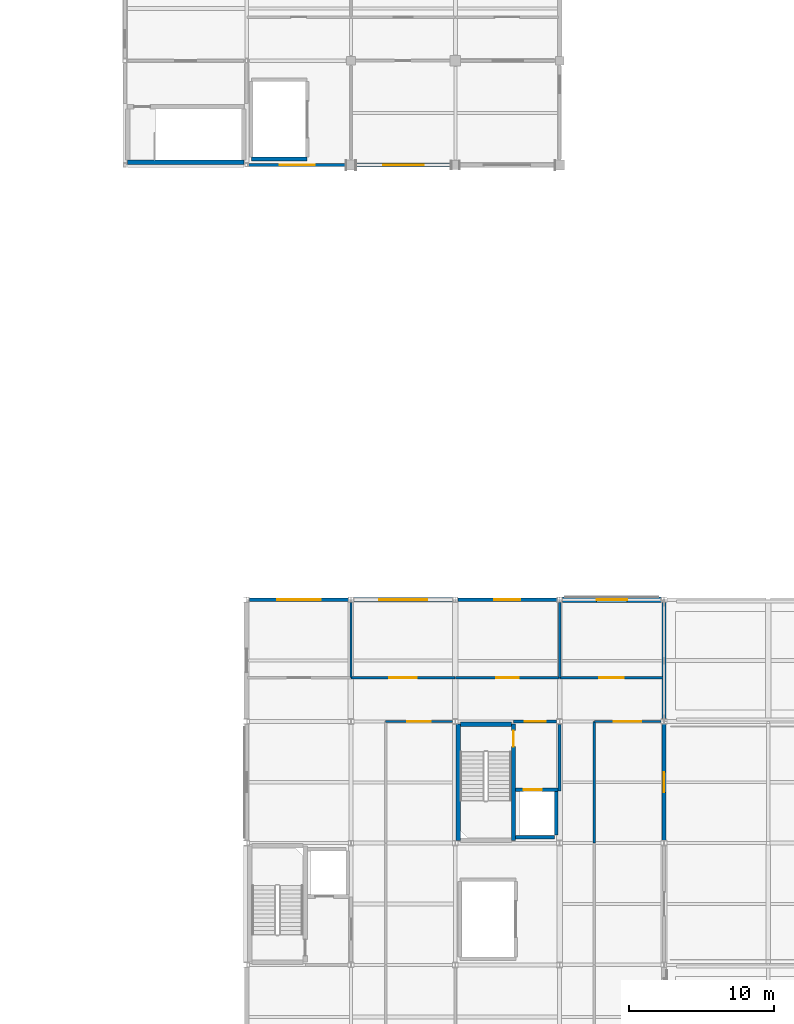
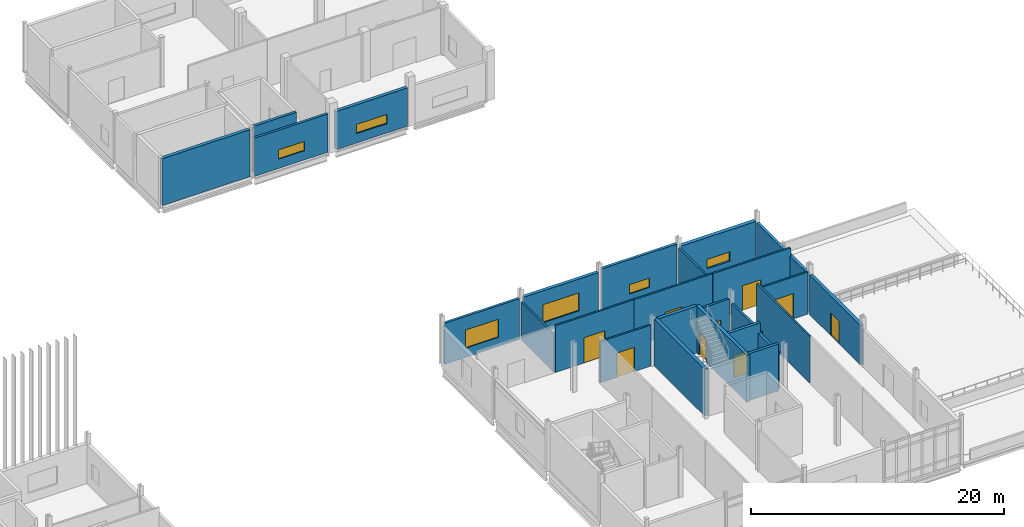
# One storey, part 52 of 72: 26 walls, 9 doors, 6 windows, 15 openings.
"""IFC4 building model written with IfcOpenShell, lengths in metres."""

from ifc_helpers import new_model, si_unit, direction, frame, frame_2d, origin, place, context, subcontext, project, spatial, rectangle, extrude, material, layer, layer_set, type_object, element, fill, save


model = new_model("IFC4")

# Units and contexts
model_context = context("Model", 3, precision=1e-05, world=origin(), true_north=direction((0.0, 1.0)))
body_context = subcontext(model_context, "Body", "Model", "MODEL_VIEW")
ifc_project = project(units=[si_unit("LENGTHUNIT", "METRE"), si_unit("AREAUNIT", "SQUARE_METRE"), si_unit("VOLUMEUNIT", "CUBIC_METRE"), si_unit("PLANEANGLEUNIT", "RADIAN"), si_unit("MASSUNIT", "GRAM", prefix="KILO")], contexts=[model_context])

# Site, building, storey
site_placement = place(None, origin())
site = spatial("IfcSite", under=ifc_project, at=site_placement, CompositionType="ELEMENT")
building_placement = place(site_placement, origin())
building = spatial("IfcBuilding", under=site, at=building_placement, Name="Calvrana Isthmian Art Gallery", CompositionType="ELEMENT")
storey_placement = place(building_placement, frame((0.0, 0.0, 15.0)))
storey = spatial("IfcBuildingStorey", under=building, at=storey_placement, Name="L03", CompositionType="ELEMENT", Elevation=15.0)

# Wall
ifc_material_1 = material(Name="Concrete C40/50", Category="concrete")
ifc_layer_1 = layer(ifc_material_1, 0.300048828125, Name="Concrete C40/50")
ifc_layer_set_1 = layer_set([ifc_layer_1], Name="Concrete C40/50")
wall_type_1 = type_object("IfcWallType", Name="CW-SHAFT-300", PredefinedType="SHEAR", material=ifc_layer_set_1)
wall_1_placement = place(storey_placement, frame((127.39990234375, 30.18994140625, 0.0), z_axis=(0.0, 0.0, 1.0), x_axis=(0.0, 1.0, 0.0)))
element("IfcWall", 1, at=wall_1_placement, inside=storey, type_object=wall_type_1, Name="Core C4 shear wall W L03", PredefinedType="SHEAR", context=body_context, shape_type="SweptSolid", body=[
    extrude(rectangle(XDim=8.02001953125, YDim=0.300048828125, at=frame_2d((4.010009765625, 0.0))), origin(), (0.0, 0.0, 1.0), 4.5400390625),
])

# Wall, opening, door
wall_2_placement = place(storey_placement, frame((131.219970703125, 30.18994140625, 0.0), z_axis=(0.0, 0.0, 1.0), x_axis=(0.0, 1.0, 0.0)))
wall_2 = element("IfcWall", 2, at=wall_2_placement, inside=storey, type_object=wall_type_1, Name="Core C4 shear wall E L03", PredefinedType="SHEAR", context=body_context, shape_type="SweptSolid", body=[
    extrude(rectangle(XDim=8.02001953125, YDim=0.300048828125, at=frame_2d((4.010009765625, 0.0))), origin(), (0.0, 0.0, 1.0), 4.5400390625),
])
opening_1_placement = place(wall_2_placement, frame((6.469970703125, 0.0, 0.0)))
opening_1 = element("IfcOpeningElement", 3, at=opening_1_placement, cuts=wall_2, Name="Opening D-150", PredefinedType="OPENING", context=body_context, shape_type="SweptSolid", body=[
    extrude(rectangle(XDim=1.10009765625, YDim=2.14990234375, at=frame_2d((0.550048828125, 1.074951171875))), frame((0.0, 0.16015625, 0.0), z_axis=(0.0, -1.0, 0.0), x_axis=(1.0, 0.0, 0.0)), (0.0, 0.0, 1.0), 0.320556640625),
])
ifc_material_2 = material(Name="Steel ASTM A572 Gr 50", Category="steel")
door_type_1 = type_object("IfcDoorType", Name="DR-FIRE-1100", OperationType="NOTDEFINED", PredefinedType="DOOR", material=ifc_material_2)
door_1_placement = place(opening_1_placement, origin())
door_1 = element("IfcDoor", 4, at=door_1_placement, inside=storey, type_object=door_type_1, Name="Stair ST-4 fire door L03", OperationType="SINGLE_SWING_RIGHT", OverallHeight=2.14990234375, OverallWidth=1.10009765625, PredefinedType="DOOR", context=body_context, shape_type="SweptSolid", body=[
    extrude(rectangle(XDim=1.10009765625, YDim=2.14990234375, at=frame_2d((0.550048828125, 1.074951171875))), frame((0.0, 0.02490234375, 0.0), z_axis=(0.0, -1.0, 0.0), x_axis=(1.0, 0.0, 0.0)), (0.0, 0.0, 1.0), 0.050048828125),
])
fill(opening_1, door_1)

# Walls
wall_3_placement = place(storey_placement, frame((127.550048828125, 38.2099609375, 0.0), z_axis=(0.0, 0.0, 1.0), x_axis=(1.0, 0.0, 0.0)))
element("IfcWall", 5, at=wall_3_placement, inside=storey, type_object=wall_type_1, Name="Core C4 shear wall N L03", PredefinedType="SHEAR", context=body_context, shape_type="SweptSolid", body=[
    extrude(rectangle(XDim=3.52001953125, YDim=0.300048828125, at=frame_2d((1.760009765625, 0.0))), origin(), (0.0, 0.0, 1.0), 4.5400390625),
])
wall_4_placement = place(storey_placement, frame((104.590087890625, 77.0, 0.0), z_axis=(0.0, 0.0, 1.0), x_axis=(1.0, 0.0, 0.0)))
element("IfcWall", 6, at=wall_4_placement, inside=storey, type_object=wall_type_1, Name="Core C5 shear wall S L03", PredefinedType="SHEAR", context=body_context, shape_type="SweptSolid", body=[
    extrude(rectangle(XDim=8.02001953125, YDim=0.300048828125, at=frame_2d((4.010009765625, 0.0))), origin(), (0.0, 0.0, 1.0), 4.5400390625),
])

# Wall, opening, window
ifc_material_3 = material(Name="Precast concrete C40/50", Category="concrete")
ifc_layer_2 = layer(ifc_material_3, 0.219970703125, Name="Precast concrete C40/50")
ifc_layer_set_2 = layer_set([ifc_layer_2], Name="Precast concrete C40/50")
wall_type_2 = type_object("IfcWallType", Name="EW-ACOUST-220", PredefinedType="SOLIDWALL", material=ifc_layer_set_2)
wall_5_placement = place(storey_placement, frame((112.98388671875, 46.800048828125, 0.0), z_axis=(0.0, 0.0, 1.0), x_axis=(1.0, 0.0, 0.0)))
wall_5 = element("IfcWall", 7, at=wall_5_placement, inside=storey, type_object=wall_type_2, Name="Exterior wall EW-152", PredefinedType="SOLIDWALL", context=body_context, shape_type="SweptSolid", body=[
    extrude(rectangle(XDim=6.82958984375, YDim=0.219970703125, at=frame_2d((3.414794921875, 0.0))), origin(), (0.0, 0.0, 1.0), 3.970947265625),
])
opening_2_placement = place(wall_5_placement, frame((1.914794921875, 0.0, 0.89990234375)))
opening_2 = element("IfcOpeningElement", 8, at=opening_2_placement, cuts=wall_5, Name="Opening W-108", PredefinedType="OPENING", context=body_context, shape_type="SweptSolid", body=[
    extrude(rectangle(XDim=3.0, YDim=1.75, at=frame_2d((1.5, 0.875))), frame((0.0, 0.1201171875, 0.0), z_axis=(0.0, -1.0, 0.0), x_axis=(1.0, 0.0, 0.0)), (0.0, 0.0, 1.0), 0.240478515625),
])
ifc_material_4 = material(Name="Low-E laminated solar glass", Category="glass")
window_type_1 = type_object("IfcWindowType", Name="WN-G15", PartitioningType="DOUBLE_PANEL_VERTICAL", PredefinedType="WINDOW", material=ifc_material_4)
window_1_placement = place(opening_2_placement, origin())
window_1 = element("IfcWindow", 9, at=window_1_placement, inside=storey, type_object=window_type_1, Name="Facade window W-108", OverallHeight=1.75, OverallWidth=3.0, PartitioningType="SINGLE_PANEL", PredefinedType="WINDOW", context=body_context, shape_type="SweptSolid", body=[
    extrude(rectangle(XDim=3.0, YDim=1.75, at=frame_2d((1.5, 0.875))), frame((0.0, 0.030029296875, 0.0), z_axis=(0.0, -1.0, 0.0), x_axis=(1.0, 0.0, 0.0)), (0.0, 0.0, 1.0), 0.06005859375),
])
fill(opening_2, window_1)

wall_6_placement = place(storey_placement, frame((119.64990234375, 76.800048828125, 0.0), z_axis=(0.0, 0.0, 1.0), x_axis=(-1.0, 0.0, 0.0)))
wall_6 = element("IfcWall", 10, at=wall_6_placement, inside=storey, type_object=wall_type_2, Name="Exterior wall EW-156", PredefinedType="SOLIDWALL", context=body_context, shape_type="SweptSolid", body=[
    extrude(rectangle(XDim=6.722900390625, YDim=0.219970703125, at=frame_2d((3.361328125, 0.0))), origin(), (0.0, 0.0, 1.0), 3.695068359375),
])
opening_3_placement = place(wall_6_placement, frame((2.16162109375, 0.0, 0.89990234375)))
opening_3 = element("IfcOpeningElement", 11, at=opening_3_placement, cuts=wall_6, Name="Opening W-112", PredefinedType="OPENING", context=body_context, shape_type="SweptSolid", body=[
    extrude(rectangle(XDim=2.39990234375, YDim=0.89990234375, at=frame_2d((1.199951171875, 0.449951171875))), frame((0.0, 0.1201171875, 0.0), z_axis=(0.0, -1.0, 0.0), x_axis=(1.0, 0.0, 0.0)), (0.0, 0.0, 1.0), 0.240478515625),
])
window_type_2 = type_object("IfcWindowType", Name="WN-C03", PartitioningType="DOUBLE_PANEL_VERTICAL", PredefinedType="WINDOW", material=ifc_material_4)
window_2_placement = place(opening_3_placement, origin())
window_2 = element("IfcWindow", 12, at=window_2_placement, inside=storey, type_object=window_type_2, Name="Facade window W-112", OverallHeight=0.89990234375, OverallWidth=2.39990234375, PartitioningType="SINGLE_PANEL", PredefinedType="WINDOW", context=body_context, shape_type="SweptSolid", body=[
    extrude(rectangle(XDim=2.39990234375, YDim=0.89990234375, at=frame_2d((1.199951171875, 0.449951171875))), frame((0.0, 0.030029296875, 0.0), z_axis=(0.0, -1.0, 0.0), x_axis=(1.0, 0.0, 0.0)), (0.0, 0.0, 1.0), 0.06005859375),
])
fill(opening_3, window_2)

ifc_material_5 = material(Name="Pale Isthmian limestone", Category="masonry")
ifc_layer_3 = layer(ifc_material_5, 0.300048828125, Name="Pale Isthmian limestone")
ifc_layer_set_3 = layer_set([ifc_layer_3], Name="Pale Isthmian limestone")
wall_type_3 = type_object("IfcWallType", Name="EW-LIME-300", PredefinedType="SOLIDWALL", material=ifc_layer_set_3)
wall_7_placement = place(storey_placement, frame((120.1865234375, 46.800048828125, 0.0), z_axis=(0.0, 0.0, 1.0), x_axis=(1.0, 0.0, 0.0)))
wall_7 = element("IfcWall", 13, at=wall_7_placement, inside=storey, type_object=wall_type_3, Name="Exterior wall EW-153", PredefinedType="SOLIDWALL", context=body_context, shape_type="SweptSolid", body=[
    extrude(rectangle(XDim=6.826904296875, YDim=0.300048828125, at=frame_2d((3.41357421875, 0.0))), origin(), (0.0, 0.0, 1.0), 3.987060546875),
])
opening_4_placement = place(wall_7_placement, frame((1.763427734375, 0.0, 0.89990234375)))
opening_4 = element("IfcOpeningElement", 14, at=opening_4_placement, cuts=wall_7, Name="Opening W-109", PredefinedType="OPENING", context=body_context, shape_type="SweptSolid", body=[
    extrude(rectangle(XDim=3.300048828125, YDim=1.75, at=frame_2d((1.64990234375, 0.875))), frame((0.0, 0.16015625, 0.0), z_axis=(0.0, -1.0, 0.0), x_axis=(1.0, 0.0, 0.0)), (0.0, 0.0, 1.0), 0.320556640625),
])
window_type_3 = type_object("IfcWindowType", Name="WN-G16", PartitioningType="DOUBLE_PANEL_VERTICAL", PredefinedType="WINDOW", material=ifc_material_4)
window_3_placement = place(opening_4_placement, origin())
window_3 = element("IfcWindow", 15, at=window_3_placement, inside=storey, type_object=window_type_3, Name="Facade window W-109", OverallHeight=1.75, OverallWidth=3.300048828125, PartitioningType="SINGLE_PANEL", PredefinedType="WINDOW", context=body_context, shape_type="SweptSolid", body=[
    extrude(rectangle(XDim=3.300048828125, YDim=1.75, at=frame_2d((1.64990234375, 0.875))), frame((0.0, 0.030029296875, 0.0), z_axis=(0.0, -1.0, 0.0), x_axis=(1.0, 0.0, 0.0)), (0.0, 0.0, 1.0), 0.06005859375),
])
fill(opening_4, window_3)

wall_8_placement = place(storey_placement, frame((126.89990234375, 76.800048828125, 0.0), z_axis=(0.0, 0.0, 1.0), x_axis=(-1.0, 0.0, 0.0)))
wall_8 = element("IfcWall", 16, at=wall_8_placement, inside=storey, type_object=wall_type_3, Name="Exterior wall EW-157", PredefinedType="SOLIDWALL", context=body_context, shape_type="SweptSolid", body=[
    extrude(rectangle(XDim=6.5498046875, YDim=0.300048828125, at=frame_2d((3.27490234375, 0.0))), origin(), (0.0, 0.0, 1.0), 3.695068359375),
])
opening_5_placement = place(wall_8_placement, frame((1.875, 0.0, 0.89990234375)))
opening_5 = element("IfcOpeningElement", 17, at=opening_5_placement, cuts=wall_8, Name="Opening W-113", PredefinedType="OPENING", context=body_context, shape_type="SweptSolid", body=[
    extrude(rectangle(XDim=2.800048828125, YDim=0.89990234375, at=frame_2d((1.39990234375, 0.449951171875))), frame((0.0, 0.16015625, 0.0), z_axis=(0.0, -1.0, 0.0), x_axis=(1.0, 0.0, 0.0)), (0.0, 0.0, 1.0), 0.320556640625),
])
window_type_4 = type_object("IfcWindowType", Name="WN-C04", PartitioningType="DOUBLE_PANEL_VERTICAL", PredefinedType="WINDOW", material=ifc_material_4)
window_4_placement = place(opening_5_placement, origin())
window_4 = element("IfcWindow", 18, at=window_4_placement, inside=storey, type_object=window_type_4, Name="Facade window W-113", OverallHeight=0.89990234375, OverallWidth=2.800048828125, PartitioningType="SINGLE_PANEL", PredefinedType="WINDOW", context=body_context, shape_type="SweptSolid", body=[
    extrude(rectangle(XDim=2.800048828125, YDim=0.89990234375, at=frame_2d((1.39990234375, 0.449951171875))), frame((0.0, 0.030029296875, 0.0), z_axis=(0.0, -1.0, 0.0), x_axis=(1.0, 0.0, 0.0)), (0.0, 0.0, 1.0), 0.06005859375),
])
fill(opening_5, window_4)

# Wall, opening, door
wall_9_placement = place(storey_placement, frame((141.60009765625, 38.21337890625, 0.0), z_axis=(0.0, 0.0, 1.0), x_axis=(0.0, -1.0, 0.0)))
wall_9 = element("IfcWall", 19, at=wall_9_placement, inside=storey, type_object=wall_type_3, Name="Exterior wall EW-177", PredefinedType="SOLIDWALL", context=body_context, shape_type="SweptSolid", body=[
    extrude(rectangle(XDim=8.029296875, YDim=0.300048828125, at=frame_2d((4.0146484375, 0.0))), origin(), (0.0, 0.0, 1.0), 3.826904296875),
])
opening_6_placement = place(wall_9_placement, frame((3.314697265625, 0.0, 0.0)))
opening_6 = element("IfcOpeningElement", 20, at=opening_6_placement, cuts=wall_9, Name="Opening D-T27", PredefinedType="OPENING", context=body_context, shape_type="SweptSolid", body=[
    extrude(rectangle(XDim=1.39990234375, YDim=2.199951171875, at=frame_2d((0.699951171875, 1.10009765625))), frame((0.0, 0.16015625, 0.0), z_axis=(0.0, -1.0, 0.0), x_axis=(1.0, 0.0, 0.0)), (0.0, 0.0, 1.0), 0.320556640625),
])
ifc_material_6 = material(Name="Anodized bronze aluminium 6063-T6", Category="aluminium")
door_type_2 = type_object("IfcDoorType", Name="DR-EXT-TER-1400", OperationType="NOTDEFINED", PredefinedType="DOOR", material=ifc_material_6)
door_2_placement = place(opening_6_placement, origin())
door_2 = element("IfcDoor", 21, at=door_2_placement, inside=storey, type_object=door_type_2, Name="Sculpture terrace access door D-T27", OperationType="SINGLE_SWING_RIGHT", OverallHeight=2.199951171875, OverallWidth=1.39990234375, PredefinedType="DOOR", context=body_context, shape_type="SweptSolid", body=[
    extrude(rectangle(XDim=1.39990234375, YDim=2.199951171875, at=frame_2d((0.699951171875, 1.10009765625))), frame((0.0, 0.02490234375, 0.0), z_axis=(0.0, -1.0, 0.0), x_axis=(1.0, 0.0, 0.0)), (0.0, 0.0, 1.0), 0.050048828125),
])
fill(opening_6, door_2)

# Wall, opening, window
ifc_layer_4 = layer(ifc_material_3, 0.35009765625, Name="Precast concrete C40/50")
ifc_layer_set_4 = layer_set([ifc_layer_4], Name="Precast concrete C40/50")
wall_type_4 = type_object("IfcWallType", Name="EW-PREC-350", PredefinedType="SOLIDWALL", material=ifc_layer_set_4)
wall_10_placement = place(storey_placement, frame((134.58544921875, 46.800048828125, 0.0), z_axis=(0.0, 0.0, 1.0), x_axis=(1.0, 0.0, 0.0)))
wall_10 = element("IfcWall", 22, at=wall_10_placement, inside=storey, type_object=wall_type_4, Name="Exterior wall EW-155", PredefinedType="SOLIDWALL", context=body_context, shape_type="SweptSolid", body=[
    extrude(rectangle(XDim=6.83056640625, YDim=0.35009765625, at=frame_2d((3.415283203125, 0.0))), origin(), (0.0, 0.0, 1.0), 3.9130859375),
])
opening_7_placement = place(wall_10_placement, frame((2.365234375, 0.0, 0.89990234375)))
opening_7 = element("IfcOpeningElement", 23, at=opening_7_placement, cuts=wall_10, Name="Opening W-111", PredefinedType="OPENING", context=body_context, shape_type="SweptSolid", body=[
    extrude(rectangle(XDim=2.10009765625, YDim=0.89990234375, at=frame_2d((1.050048828125, 0.449951171875))), frame((0.0, 0.185302734375, 0.0), z_axis=(0.0, -1.0, 0.0), x_axis=(1.0, 0.0, 0.0)), (0.0, 0.0, 1.0), 0.37060546875),
])
window_type_5 = type_object("IfcWindowType", Name="WN-C02", PartitioningType="DOUBLE_PANEL_VERTICAL", PredefinedType="WINDOW", material=ifc_material_4)
window_5_placement = place(opening_7_placement, origin())
window_5 = element("IfcWindow", 24, at=window_5_placement, inside=storey, type_object=window_type_5, Name="Facade window W-111", OverallHeight=0.89990234375, OverallWidth=2.10009765625, PartitioningType="SINGLE_PANEL", PredefinedType="WINDOW", context=body_context, shape_type="SweptSolid", body=[
    extrude(rectangle(XDim=2.10009765625, YDim=0.89990234375, at=frame_2d((1.050048828125, 0.449951171875))), frame((0.0, 0.030029296875, 0.0), z_axis=(0.0, -1.0, 0.0), x_axis=(1.0, 0.0, 0.0)), (0.0, 0.0, 1.0), 0.06005859375),
])
fill(opening_7, window_5)

ifc_material_7 = material(Name="Polychrome glazed terracotta", Category="masonry")
ifc_layer_5 = layer(ifc_material_7, 0.25, Name="Polychrome glazed terracotta")
ifc_layer_set_5 = layer_set([ifc_layer_5], Name="Polychrome glazed terracotta")
wall_type_5 = type_object("IfcWallType", Name="EW-TERRA-250", PredefinedType="SOLIDWALL", material=ifc_layer_set_5)
wall_11_placement = place(storey_placement, frame((127.386474609375, 46.800048828125, 0.0), z_axis=(0.0, 0.0, 1.0), x_axis=(1.0, 0.0, 0.0)))
wall_11 = element("IfcWall", 25, at=wall_11_placement, inside=storey, type_object=wall_type_5, Name="Exterior wall EW-154", PredefinedType="SOLIDWALL", context=body_context, shape_type="SweptSolid", body=[
    extrude(rectangle(XDim=6.828125, YDim=0.25, at=frame_2d((3.4140625, 0.0))), origin(), (0.0, 0.0, 1.0), 4.215087890625),
])
opening_8_placement = place(wall_11_placement, frame((2.513916015625, 0.0, 0.89990234375)))
opening_8 = element("IfcOpeningElement", 26, at=opening_8_placement, cuts=wall_11, Name="Opening W-110", PredefinedType="OPENING", context=body_context, shape_type="SweptSolid", body=[
    extrude(rectangle(XDim=1.800048828125, YDim=0.89990234375, at=frame_2d((0.89990234375, 0.449951171875))), frame((0.0, 0.13525390625, 0.0), z_axis=(0.0, -1.0, 0.0), x_axis=(1.0, 0.0, 0.0)), (0.0, 0.0, 1.0), 0.2705078125),
])
window_type_6 = type_object("IfcWindowType", Name="WN-C01", PartitioningType="DOUBLE_PANEL_VERTICAL", PredefinedType="WINDOW", material=ifc_material_4)
window_6_placement = place(opening_8_placement, origin())
window_6 = element("IfcWindow", 27, at=window_6_placement, inside=storey, type_object=window_type_6, Name="Facade window W-110", OverallHeight=0.89990234375, OverallWidth=1.800048828125, PartitioningType="SINGLE_PANEL", PredefinedType="WINDOW", context=body_context, shape_type="SweptSolid", body=[
    extrude(rectangle(XDim=1.800048828125, YDim=0.89990234375, at=frame_2d((0.89990234375, 0.449951171875))), frame((0.0, 0.030029296875, 0.0), z_axis=(0.0, -1.0, 0.0), x_axis=(1.0, 0.0, 0.0)), (0.0, 0.0, 1.0), 0.06005859375),
])
fill(opening_8, window_6)

# Walls
wall_12_placement = place(storey_placement, frame((141.60009765625, 46.6220703125, 0.0), z_axis=(0.0, 0.0, 1.0), x_axis=(0.0, -1.0, 0.0)))
element("IfcWall", 28, at=wall_12_placement, inside=storey, type_object=wall_type_5, Name="Exterior wall EW-178", PredefinedType="SOLIDWALL", context=body_context, shape_type="SweptSolid", body=[
    extrude(rectangle(XDim=8.03564453125, YDim=0.25, at=frame_2d((4.017822265625, 0.0))), origin(), (0.0, 0.0, 1.0), 3.748046875),
])
ifc_material_8 = material(Name="Acoustic gypsum ceiling", Category="gypsum")
ifc_layer_6 = layer(ifc_material_8, 0.199951171875, Name="Acoustic gypsum ceiling")
ifc_layer_set_6 = layer_set([ifc_layer_6], Name="Acoustic gypsum ceiling")
wall_type_6 = type_object("IfcWallType", Name="PW-FIRE-200", PredefinedType="PARTITIONING", material=ifc_layer_set_6)
wall_13_placement = place(storey_placement, frame((134.39990234375, 33.60009765625, 0.0), z_axis=(0.0, 0.0, 1.0), x_axis=(0.0, 1.0, 0.0)))
element("IfcWall", 29, at=wall_13_placement, inside=storey, type_object=wall_type_6, Name="Core C4 lobby east closure L03", PredefinedType="PARTITIONING", context=body_context, shape_type="SweptSolid", body=[
    extrude(rectangle(XDim=4.579833984375, YDim=0.199951171875, at=frame_2d((2.2900390625, 0.0))), origin(), (0.0, 0.0, 1.0), 3.593017578125),
])

# Wall, opening, door
wall_14_placement = place(storey_placement, frame((131.22998046875, 38.39990234375, 0.0), z_axis=(0.0, 0.0, 1.0), x_axis=(1.0, 0.0, 0.0)))
wall_14 = element("IfcWall", 30, at=wall_14_placement, inside=storey, type_object=wall_type_6, Name="Core C4 lobby enclosure L03", PredefinedType="PARTITIONING", context=body_context, shape_type="SweptSolid", body=[
    extrude(rectangle(XDim=2.949951171875, YDim=0.199951171875, at=frame_2d((1.47509765625, 0.0))), origin(), (0.0, 0.0, 1.0), 3.987060546875),
])
opening_9_placement = place(wall_14_placement, frame((0.75, 0.0, 0.0)))
opening_9 = element("IfcOpeningElement", 31, at=opening_9_placement, cuts=wall_14, Name="Opening D-151", PredefinedType="OPENING", context=body_context, shape_type="SweptSolid", body=[
    extrude(rectangle(XDim=1.449951171875, YDim=2.199951171875, at=frame_2d((0.72509765625, 1.10009765625))), frame((0.0, 0.1103515625, 0.0), z_axis=(0.0, -1.0, 0.0), x_axis=(1.0, 0.0, 0.0)), (0.0, 0.0, 1.0), 0.220458984375),
])
door_type_3 = type_object("IfcDoorType", Name="DR-LOBBY-1450", OperationType="DOUBLE_DOOR_SINGLE_SWING", PredefinedType="DOOR", material=ifc_material_2)
door_3_placement = place(opening_9_placement, origin())
door_3 = element("IfcDoor", 32, at=door_3_placement, inside=storey, type_object=door_type_3, Name="Core C4 lobby fire door L03", OperationType="DOUBLE_DOOR_SINGLE_SWING", OverallHeight=2.199951171875, OverallWidth=1.449951171875, PredefinedType="DOOR", context=body_context, shape_type="SweptSolid", body=[
    extrude(rectangle(XDim=1.449951171875, YDim=2.199951171875, at=frame_2d((0.72509765625, 1.10009765625))), frame((0.0, 0.02490234375, 0.0), z_axis=(0.0, -1.0, 0.0), x_axis=(1.0, 0.0, 0.0)), (0.0, 0.0, 1.0), 0.050048828125),
])
fill(opening_9, door_3)

ifc_layer_7 = layer(ifc_material_8, 0.159912109375, Name="Acoustic gypsum ceiling")
ifc_layer_set_7 = layer_set([ifc_layer_7], Name="Acoustic gypsum ceiling")
wall_type_7 = type_object("IfcWallType", Name="PW-GAL-160", PredefinedType="PARTITIONING", material=ifc_layer_set_7)
wall_15_placement = place(storey_placement, frame((122.39990234375, 38.39990234375, 0.0), z_axis=(0.0, 0.0, 1.0), x_axis=(1.0, 0.0, 0.0)))
wall_15 = element("IfcWall", 33, at=wall_15_placement, inside=storey, type_object=wall_type_7, Name="Interior partition PW-547", PredefinedType="PARTITIONING", context=body_context, shape_type="SweptSolid", body=[
    extrude(rectangle(XDim=4.599609375, YDim=0.159912109375, at=frame_2d((2.2998046875, 0.0))), origin(), (0.0, 0.0, 1.0), 3.970947265625),
])
opening_10_placement = place(wall_15_placement, frame((1.499755859375, 0.0, 0.0)))
opening_10 = element("IfcOpeningElement", 34, at=opening_10_placement, cuts=wall_15, Name="Opening D-483", PredefinedType="OPENING", context=body_context, shape_type="SweptSolid", body=[
    extrude(rectangle(XDim=1.60009765625, YDim=2.35009765625, at=frame_2d((0.800048828125, 1.175048828125))), frame((0.0, 0.09033203125, 0.0), z_axis=(0.0, -1.0, 0.0), x_axis=(1.0, 0.0, 0.0)), (0.0, 0.0, 1.0), 0.180419921875),
])
ifc_material_9 = material(Name="Timber gallery flooring", Category="wood")
door_type_4 = type_object("IfcDoorType", Name="DR-GAL-1600", OperationType="DOUBLE_DOOR_SINGLE_SWING", PredefinedType="DOOR", material=ifc_material_9)
door_4_placement = place(opening_10_placement, origin())
door_4 = element("IfcDoor", 35, at=door_4_placement, inside=storey, type_object=door_type_4, Name="Interior door D-483", OperationType="DOUBLE_DOOR_SINGLE_SWING", OverallHeight=2.35009765625, OverallWidth=1.60009765625, PredefinedType="DOOR", context=body_context, shape_type="SweptSolid", body=[
    extrude(rectangle(XDim=1.60009765625, YDim=2.35009765625, at=frame_2d((0.800048828125, 1.175048828125))), frame((0.0, 0.02490234375, 0.0), z_axis=(0.0, -1.0, 0.0), x_axis=(1.0, 0.0, 0.0)), (0.0, 0.0, 1.0), 0.050048828125),
])
fill(opening_10, door_4)

# Wall
wall_16_placement = place(storey_placement, frame((136.800048828125, 30.02001953125, 0.0), z_axis=(0.0, 0.0, 1.0), x_axis=(0.0, 1.0, 0.0)))
element("IfcWall", 36, at=wall_16_placement, inside=storey, type_object=wall_type_7, Name="Interior partition PW-551", PredefinedType="PARTITIONING", context=body_context, shape_type="SweptSolid", body=[
    extrude(rectangle(XDim=8.35986328125, YDim=0.159912109375, at=frame_2d((4.179931640625, 0.0))), origin(), (0.0, 0.0, 1.0), 4.52001953125),
])

# Wall, opening, door
wall_17_placement = place(storey_placement, frame((136.800048828125, 38.39990234375, 0.0), z_axis=(0.0, 0.0, 1.0), x_axis=(1.0, 0.0, 0.0)))
wall_17 = element("IfcWall", 37, at=wall_17_placement, inside=storey, type_object=wall_type_7, Name="Interior partition PW-552", PredefinedType="PARTITIONING", context=body_context, shape_type="SweptSolid", body=[
    extrude(rectangle(XDim=4.598388671875, YDim=0.159912109375, at=frame_2d((2.29931640625, 0.0))), origin(), (0.0, 0.0, 1.0), 4.05810546875),
])
opening_11_placement = place(wall_17_placement, frame((1.349365234375, 0.0, 0.0)))
opening_11 = element("IfcOpeningElement", 38, at=opening_11_placement, cuts=wall_17, Name="Opening D-484", PredefinedType="OPENING", context=body_context, shape_type="SweptSolid", body=[
    extrude(rectangle(XDim=1.89990234375, YDim=2.449951171875, at=frame_2d((0.949951171875, 1.22509765625))), frame((0.0, 0.09033203125, 0.0), z_axis=(0.0, -1.0, 0.0), x_axis=(1.0, 0.0, 0.0)), (0.0, 0.0, 1.0), 0.180419921875),
])
door_type_5 = type_object("IfcDoorType", Name="DR-GAL-1900", OperationType="DOUBLE_DOOR_SINGLE_SWING", PredefinedType="DOOR", material=ifc_material_9)
door_5_placement = place(opening_11_placement, origin())
door_5 = element("IfcDoor", 39, at=door_5_placement, inside=storey, type_object=door_type_5, Name="Interior door D-484", OperationType="DOUBLE_DOOR_SINGLE_SWING", OverallHeight=2.449951171875, OverallWidth=1.89990234375, PredefinedType="DOOR", context=body_context, shape_type="SweptSolid", body=[
    extrude(rectangle(XDim=1.89990234375, YDim=2.449951171875, at=frame_2d((0.949951171875, 1.22509765625))), frame((0.0, 0.02490234375, 0.0), z_axis=(0.0, -1.0, 0.0), x_axis=(1.0, 0.0, 0.0)), (0.0, 0.0, 1.0), 0.050048828125),
])
fill(opening_11, door_5)

# Wall
wall_18_placement = place(storey_placement, frame((120.0, 41.419921875, 0.0), z_axis=(0.0, 0.0, 1.0), x_axis=(0.0, 1.0, 0.0)))
element("IfcWall", 40, at=wall_18_placement, inside=storey, type_object=wall_type_7, Name="Interior partition PW-554", PredefinedType="PARTITIONING", context=body_context, shape_type="SweptSolid", body=[
    extrude(rectangle(XDim=5.178466796875, YDim=0.159912109375, at=frame_2d((2.58935546875, 0.0))), origin(), (0.0, 0.0, 1.0), 3.6640625),
])

# Wall, opening, door
wall_19_placement = place(storey_placement, frame((120.010009765625, 41.409912109375, 0.0), z_axis=(0.0, 0.0, 1.0), x_axis=(1.0, 0.0, 0.0)))
wall_19 = element("IfcWall", 41, at=wall_19_placement, inside=storey, type_object=wall_type_7, Name="Interior partition PW-555", PredefinedType="PARTITIONING", context=body_context, shape_type="SweptSolid", body=[
    extrude(rectangle(XDim=7.179931640625, YDim=0.159912109375, at=frame_2d((3.58984375, 0.0))), origin(), (0.0, 0.0, 1.0), 4.52001953125),
])
opening_12_placement = place(wall_19_placement, frame((2.639892578125, 0.0, 0.0)))
opening_12 = element("IfcOpeningElement", 42, at=opening_12_placement, cuts=wall_19, Name="Opening D-486", PredefinedType="OPENING", context=body_context, shape_type="SweptSolid", body=[
    extrude(rectangle(XDim=1.89990234375, YDim=2.449951171875, at=frame_2d((0.949951171875, 1.22509765625))), frame((0.0, 0.09033203125, 0.0), z_axis=(0.0, -1.0, 0.0), x_axis=(1.0, 0.0, 0.0)), (0.0, 0.0, 1.0), 0.180419921875),
])
door_6_placement = place(opening_12_placement, origin())
door_6 = element("IfcDoor", 43, at=door_6_placement, inside=storey, type_object=door_type_5, Name="Interior door D-486", OperationType="DOUBLE_DOOR_SINGLE_SWING", OverallHeight=2.449951171875, OverallWidth=1.89990234375, PredefinedType="DOOR", context=body_context, shape_type="SweptSolid", body=[
    extrude(rectangle(XDim=1.89990234375, YDim=2.449951171875, at=frame_2d((0.949951171875, 1.22509765625))), frame((0.0, 0.02490234375, 0.0), z_axis=(0.0, -1.0, 0.0), x_axis=(1.0, 0.0, 0.0)), (0.0, 0.0, 1.0), 0.050048828125),
])
fill(opening_12, door_6)

wall_20_placement = place(storey_placement, frame((127.2099609375, 41.409912109375, 0.0), z_axis=(0.0, 0.0, 1.0), x_axis=(1.0, 0.0, 0.0)))
wall_20 = element("IfcWall", 44, at=wall_20_placement, inside=storey, type_object=wall_type_7, Name="Interior partition PW-556", PredefinedType="PARTITIONING", context=body_context, shape_type="SweptSolid", body=[
    extrude(rectangle(XDim=7.179931640625, YDim=0.159912109375, at=frame_2d((3.58984375, 0.0))), origin(), (0.0, 0.0, 1.0), 4.52001953125),
])
opening_13_placement = place(wall_20_placement, frame((2.81494140625, 0.0, 0.0)))
opening_13 = element("IfcOpeningElement", 45, at=opening_13_placement, cuts=wall_20, Name="Opening D-487", PredefinedType="OPENING", context=body_context, shape_type="SweptSolid", body=[
    extrude(rectangle(XDim=1.550048828125, YDim=2.300048828125, at=frame_2d((0.77490234375, 1.14990234375))), frame((0.0, 0.09033203125, 0.0), z_axis=(0.0, -1.0, 0.0), x_axis=(1.0, 0.0, 0.0)), (0.0, 0.0, 1.0), 0.180419921875),
])
door_type_6 = type_object("IfcDoorType", Name="DR-AUD-1550", OperationType="DOUBLE_DOOR_SINGLE_SWING", PredefinedType="DOOR", material=ifc_material_9)
door_7_placement = place(opening_13_placement, origin())
door_7 = element("IfcDoor", 46, at=door_7_placement, inside=storey, type_object=door_type_6, Name="Interior door D-487", OperationType="DOUBLE_DOOR_SINGLE_SWING", OverallHeight=2.300048828125, OverallWidth=1.550048828125, PredefinedType="DOOR", context=body_context, shape_type="SweptSolid", body=[
    extrude(rectangle(XDim=1.550048828125, YDim=2.300048828125, at=frame_2d((0.77490234375, 1.14990234375))), frame((0.0, 0.02490234375, 0.0), z_axis=(0.0, -1.0, 0.0), x_axis=(1.0, 0.0, 0.0)), (0.0, 0.0, 1.0), 0.050048828125),
])
fill(opening_13, door_7)

# Wall
wall_21_placement = place(storey_placement, frame((134.39990234375, 41.419921875, 0.0), z_axis=(0.0, 0.0, 1.0), x_axis=(0.0, 1.0, 0.0)))
element("IfcWall", 47, at=wall_21_placement, inside=storey, type_object=wall_type_7, Name="Interior partition PW-557", PredefinedType="PARTITIONING", context=body_context, shape_type="SweptSolid", body=[
    extrude(rectangle(XDim=5.18359375, YDim=0.159912109375, at=frame_2d((2.591796875, 0.0))), origin(), (0.0, 0.0, 1.0), 3.826904296875),
])

# Wall, opening, door
wall_22_placement = place(storey_placement, frame((134.409912109375, 41.409912109375, 0.0), z_axis=(0.0, 0.0, 1.0), x_axis=(1.0, 0.0, 0.0)))
wall_22 = element("IfcWall", 48, at=wall_22_placement, inside=storey, type_object=wall_type_7, Name="Interior partition PW-558", PredefinedType="PARTITIONING", context=body_context, shape_type="SweptSolid", body=[
    extrude(rectangle(XDim=7.130126953125, YDim=0.159912109375, at=frame_2d((3.56494140625, 0.0))), origin(), (0.0, 0.0, 1.0), 4.52001953125),
])
opening_14_placement = place(wall_22_placement, frame((2.715087890625, 0.0, 0.0)))
opening_14 = element("IfcOpeningElement", 49, at=opening_14_placement, cuts=wall_22, Name="Opening D-488", PredefinedType="OPENING", context=body_context, shape_type="SweptSolid", body=[
    extrude(rectangle(XDim=1.699951171875, YDim=2.39990234375, at=frame_2d((0.85009765625, 1.199951171875))), frame((0.0, 0.09033203125, 0.0), z_axis=(0.0, -1.0, 0.0), x_axis=(1.0, 0.0, 0.0)), (0.0, 0.0, 1.0), 0.180419921875),
])
door_type_7 = type_object("IfcDoorType", Name="DR-GAL-1700", OperationType="DOUBLE_DOOR_SINGLE_SWING", PredefinedType="DOOR", material=ifc_material_9)
door_8_placement = place(opening_14_placement, origin())
door_8 = element("IfcDoor", 50, at=door_8_placement, inside=storey, type_object=door_type_7, Name="Interior door D-488", OperationType="DOUBLE_DOOR_SINGLE_SWING", OverallHeight=2.39990234375, OverallWidth=1.699951171875, PredefinedType="DOOR", context=body_context, shape_type="SweptSolid", body=[
    extrude(rectangle(XDim=1.699951171875, YDim=2.39990234375, at=frame_2d((0.85009765625, 1.199951171875))), frame((0.0, 0.02490234375, 0.0), z_axis=(0.0, -1.0, 0.0), x_axis=(1.0, 0.0, 0.0)), (0.0, 0.0, 1.0), 0.050048828125),
])
fill(opening_14, door_8)

# Walls
ifc_material_10 = material(Name="Concrete C35/45", Category="concrete")
ifc_layer_8 = layer(ifc_material_10, 0.25, Name="Concrete C35/45")
ifc_layer_set_8 = layer_set([ifc_layer_8], Name="Concrete C35/45")
wall_type_8 = type_object("IfcWallType", Name="PW-SHAFT-250", PredefinedType="PARTITIONING", material=ifc_layer_set_8)
wall_23_placement = place(storey_placement, frame((131.3701171875, 30.419921875, 0.0), z_axis=(0.0, 0.0, 1.0), x_axis=(1.0, 0.0, 0.0)))
element("IfcWall", 51, at=wall_23_placement, inside=storey, type_object=wall_type_8, Name="Lift EL-04 shaft wall S L03", PredefinedType="PARTITIONING", context=body_context, shape_type="SweptSolid", body=[
    extrude(rectangle(XDim=2.679931640625, YDim=0.25, at=frame_2d((1.33984375, 0.0))), origin(), (0.0, 0.0, 1.0), 4.5400390625),
])
wall_24_placement = place(storey_placement, frame((134.179931640625, 30.550048828125, 0.0), z_axis=(0.0, 0.0, 1.0), x_axis=(0.0, 1.0, 0.0)))
element("IfcWall", 52, at=wall_24_placement, inside=storey, type_object=wall_type_8, Name="Lift EL-04 shaft wall E L03", PredefinedType="PARTITIONING", context=body_context, shape_type="SweptSolid", body=[
    extrude(rectangle(XDim=3.0, YDim=0.25, at=frame_2d((1.5, 0.0))), origin(), (0.0, 0.0, 1.0), 3.593017578125),
])

# Wall, opening, door
wall_25_placement = place(storey_placement, frame((131.3701171875, 33.679931640625, 0.0), z_axis=(0.0, 0.0, 1.0), x_axis=(1.0, 0.0, 0.0)))
wall_25 = element("IfcWall", 53, at=wall_25_placement, inside=storey, type_object=wall_type_8, Name="Lift EL-04 shaft wall N L03", PredefinedType="PARTITIONING", context=body_context, shape_type="SweptSolid", body=[
    extrude(rectangle(XDim=2.909912109375, YDim=0.25, at=frame_2d((1.455078125, 0.0))), origin(), (0.0, 0.0, 1.0), 4.5400390625),
])
opening_15_placement = place(wall_25_placement, frame((0.550048828125, 0.0, 0.0)))
opening_15 = element("IfcOpeningElement", 54, at=opening_15_placement, cuts=wall_25, Name="Opening LD-04-L03", PredefinedType="OPENING", context=body_context, shape_type="SweptSolid", body=[
    extrude(rectangle(XDim=1.25, YDim=2.14990234375, at=frame_2d((0.625, 1.074951171875))), frame((0.0, 0.13525390625, 0.0), z_axis=(0.0, -1.0, 0.0), x_axis=(1.0, 0.0, 0.0)), (0.0, 0.0, 1.0), 0.2705078125),
])
ifc_material_11 = material(Name="Stainless steel 316", Category="steel")
door_type_8 = type_object("IfcDoorType", Name="DR-LIFT-1250", OperationType="DOUBLE_DOOR_SLIDING", PredefinedType="DOOR", material=ifc_material_11)
door_9_placement = place(opening_15_placement, origin())
door_9 = element("IfcDoor", 55, at=door_9_placement, inside=storey, type_object=door_type_8, Name="Lift EL-04 sliding landing door L03", OperationType="DOUBLE_DOOR_SLIDING", OverallHeight=2.14990234375, OverallWidth=1.25, PredefinedType="DOOR", context=body_context, shape_type="SweptSolid", body=[
    extrude(rectangle(XDim=1.25, YDim=2.14990234375, at=frame_2d((0.625, 1.074951171875))), frame((0.0, 0.02490234375, 0.0), z_axis=(0.0, -1.0, 0.0), x_axis=(1.0, 0.0, 0.0)), (0.0, 0.0, 1.0), 0.050048828125),
])
fill(opening_15, door_9)

# Wall
wall_26_placement = place(storey_placement, frame((113.1201171875, 77.219970703125, 0.0), z_axis=(0.0, 0.0, 1.0), x_axis=(1.0, 0.0, 0.0)))
element("IfcWall", 56, at=wall_26_placement, inside=storey, type_object=wall_type_8, Name="Goods lift L-G2 shaft S L03", PredefinedType="PARTITIONING", context=body_context, shape_type="SweptSolid", body=[
    extrude(rectangle(XDim=3.85986328125, YDim=0.25, at=frame_2d((1.929931640625, 0.0))), origin(), (0.0, 0.0, 1.0), 4.5400390625),
])

save(model, "model.ifc")
